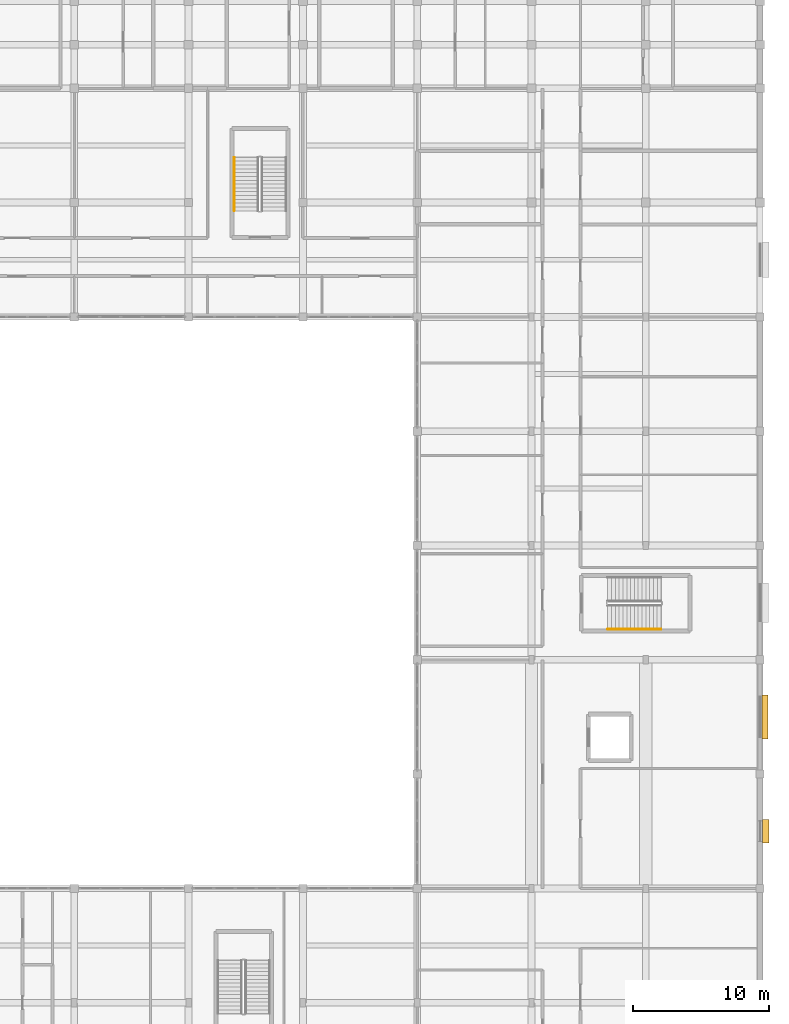
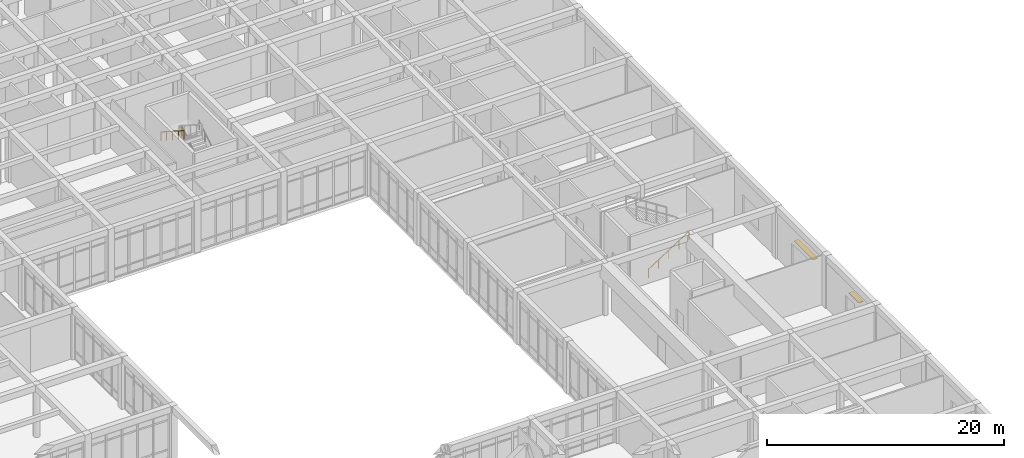
# One storey, part 85 of 89: 2 railings, 2 shading devices.
"""IFC4 building model written with IfcOpenShell, lengths in metres."""

from ifc_helpers import new_model, si_unit, direction, frame, origin, origin_2d, place, context, subcontext, project, spatial, rectangle, circle, extrude, material, layer, layer_set, type_object, element, save


model = new_model("IFC4")

# Units and contexts
model_context = context("Model", 3, precision=1e-05, world=origin(), true_north=direction((0.0, 1.0)))
body_context = subcontext(model_context, "Body", "Model", "MODEL_VIEW")
ifc_project = project(units=[si_unit("LENGTHUNIT", "METRE"), si_unit("AREAUNIT", "SQUARE_METRE"), si_unit("VOLUMEUNIT", "CUBIC_METRE"), si_unit("PLANEANGLEUNIT", "RADIAN"), si_unit("MASSUNIT", "GRAM", prefix="KILO")], contexts=[model_context])

# Site, building, storey
site_placement = place(None, origin())
site = spatial("IfcSite", under=ifc_project, at=site_placement, CompositionType="ELEMENT")
building_placement = place(site_placement, origin())
building = spatial("IfcBuilding", under=site, at=building_placement, Name="Varncliffe General Hospital", CompositionType="ELEMENT")
storey_placement = place(building_placement, frame((0.0, 0.0, 10.800048828125)))
storey = spatial("IfcBuildingStorey", under=building, at=storey_placement, Name="L02", CompositionType="ELEMENT", Elevation=10.800048828125)

# Shading devices
ifc_material_1 = material(Name="Dark bronze extruded aluminium solar jalousie louvres", Category="aluminium")
ifc_layer = layer(ifc_material_1, 0.080078125)
ifc_layer_set = layer_set([ifc_layer], Name="Dark bronze extruded aluminium solar jalousie louvres")
shading_device_type = type_object("IfcShadingDeviceType", Name="Bronze Solar Jalousie Louvre Hood SHD18", PredefinedType="JALOUSIE", material=ifc_layer_set)
shading_device_1_placement = place(storey_placement, frame((176.77001953125, 53.39990234375, 3.059814453125), z_axis=(0.0, 0.0, 1.0), x_axis=(0.0, -1.0, 0.0)))
element("IfcShadingDevice", 1, at=shading_device_1_placement, inside=storey, type_object=shading_device_type, Name="L02 Bronze Window Sun-Shading Louvre 52", PredefinedType="JALOUSIE", context=body_context, shape_type="SweptSolid", body=[
    extrude(rectangle(XDim=3.199951171875, YDim=0.449951171875, at=origin_2d()), origin(), (0.0, 0.0, 1.0), 0.080078125),
])
shading_device_2_placement = place(storey_placement, frame((176.81494140625, 45.0, 3.260009765625), z_axis=(0.0, 0.0, 1.0), x_axis=(0.0, -1.0, 0.0)))
element("IfcShadingDevice", 2, at=shading_device_2_placement, inside=storey, type_object=shading_device_type, Name="L02 Bronze Window Sun-Shading Louvre 53", PredefinedType="JALOUSIE", context=body_context, shape_type="SweptSolid", body=[
    extrude(rectangle(XDim=1.699951171875, YDim=0.449951171875, at=origin_2d()), origin(), (0.0, 0.0, 1.0), 0.080078125),
])

# Railings
ifc_material_2 = material(Name="Powder-coated hospital steel guardrail and handrail", Category="steel")
railing_type = type_object("IfcRailingType", Name="Stair and Ramp Handrail HR46", PredefinedType="HANDRAIL", material=ifc_material_2)
railing_1_placement = place(storey_placement, frame((165.199951171875, 59.85009765625, 0.364013671875)))
element("IfcRailing", 3, at=railing_1_placement, inside=storey, type_object=railing_type, Name="L02 ST07 stair handrail 1", PredefinedType="HANDRAIL", context=body_context, shape_type="SweptSolid", body=[
    extrude(circle(Radius=0.02392578125, at=origin_2d()), frame((0.0, 0.0, 0.8759765625), z_axis=(0.841186985886, 0.0, 0.540744352514), x_axis=(0.0, 1.0, 0.0)), (0.0, 0.0, 1.0), 4.660400390625),
    extrude(circle(Radius=0.02099609375, at=origin_2d()), origin(), (0.0, 0.0, 1.0), 0.851806640625),
    extrude(circle(Radius=0.02099609375, at=origin_2d()), frame((0.97998046875, 0.0, 0.6298828125)), (0.0, 0.0, 1.0), 0.851806640625),
    extrude(circle(Radius=0.02099609375, at=origin_2d()), frame((1.9599609375, 0.0, 1.260009765625)), (0.0, 0.0, 1.0), 0.851806640625),
    extrude(circle(Radius=0.02099609375, at=origin_2d()), frame((2.940185546875, 0.0, 1.89013671875)), (0.0, 0.0, 1.0), 0.851806640625),
    extrude(circle(Radius=0.02099609375, at=origin_2d()), frame((3.920166015625, 0.0, 2.52001953125)), (0.0, 0.0, 1.0), 0.851806640625),
])
railing_2_placement = place(storey_placement, frame((137.75, 94.52001953125, 3.06396484375)))
element("IfcRailing", 4, at=railing_2_placement, inside=storey, type_object=railing_type, Name="L02 ST14 stair handrail 2", PredefinedType="HANDRAIL", context=body_context, shape_type="SweptSolid", body=[
    extrude(circle(Radius=0.02392578125, at=origin_2d()), frame((0.0, 0.0, 0.8759765625), z_axis=(0.0, -0.841171666519, 0.540768182723), x_axis=(1.0, 0.0, 0.0)), (0.0, 0.0, 1.0), 4.66015625),
    extrude(circle(Radius=0.02099609375, at=origin_2d()), origin(), (0.0, 0.0, 1.0), 0.851806640625),
    extrude(circle(Radius=0.02099609375, at=origin_2d()), frame((0.0, -0.97998046875, 0.6298828125)), (0.0, 0.0, 1.0), 0.851806640625),
    extrude(circle(Radius=0.02099609375, at=origin_2d()), frame((0.0, -1.9599609375, 1.260009765625)), (0.0, 0.0, 1.0), 0.851806640625),
    extrude(circle(Radius=0.02099609375, at=origin_2d()), frame((0.0, -2.93994140625, 1.89013671875)), (0.0, 0.0, 1.0), 0.851806640625),
    extrude(circle(Radius=0.02099609375, at=origin_2d()), frame((0.0, -3.919921875, 2.52001953125)), (0.0, 0.0, 1.0), 0.851806640625),
])

save(model, "model.ifc")
